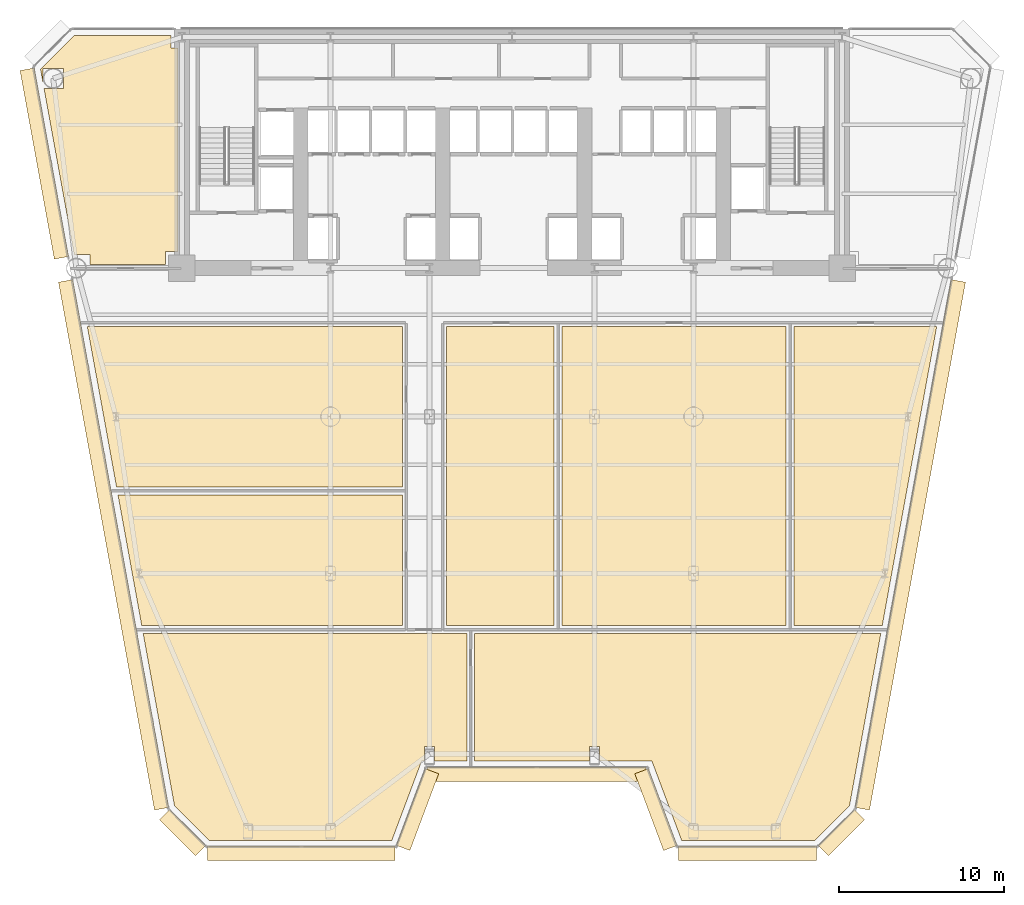
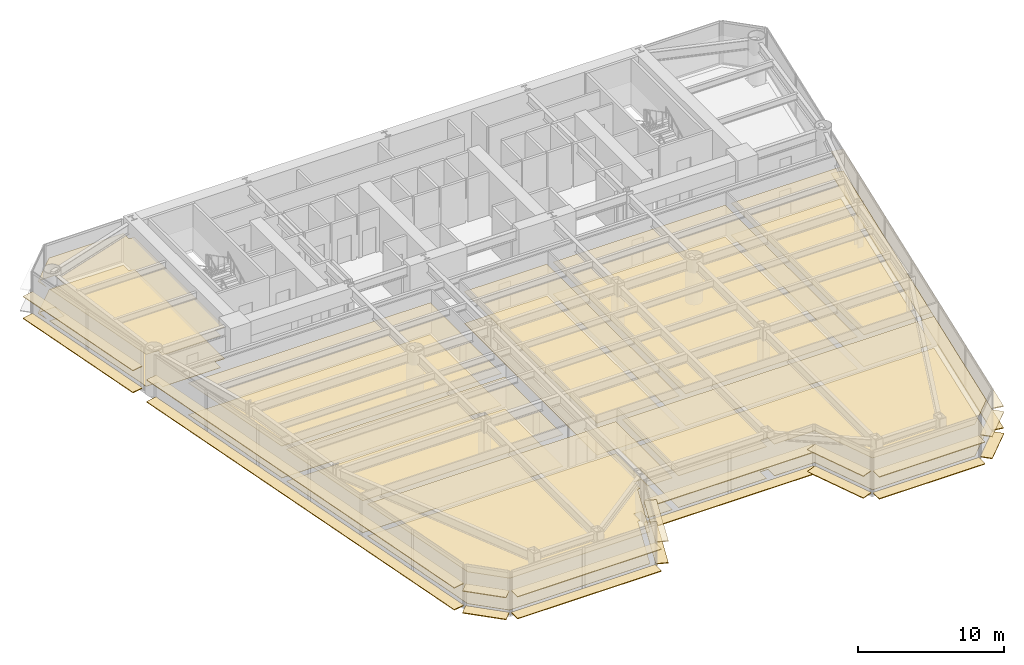
# One storey, part 11 of 14: 36 coverings.
"""IFC4 building model written with IfcOpenShell, lengths in metres."""

from ifc_helpers import new_model, si_unit, direction, frame, origin, origin_2d, place, context, subcontext, project, spatial, polyline, rectangle, outline, extrude, source, transform, mapped, material, layer, layer_set, type_object, element, save


model = new_model("IFC4")

# Units and contexts
model_context = context("Model", 3, precision=1e-05, world=origin(), true_north=direction((0.0, 1.0)))
body_context = subcontext(model_context, "Body", "Model", "MODEL_VIEW")
ifc_project = project(units=[si_unit("LENGTHUNIT", "METRE"), si_unit("AREAUNIT", "SQUARE_METRE"), si_unit("VOLUMEUNIT", "CUBIC_METRE"), si_unit("PLANEANGLEUNIT", "RADIAN"), si_unit("MASSUNIT", "GRAM", prefix="KILO")], contexts=[model_context])

# Site, building, storey
site_placement = place(None, origin())
site = spatial("IfcSite", under=ifc_project, at=site_placement, CompositionType="ELEMENT")
building_placement = place(site_placement, origin())
building = spatial("IfcBuilding", under=site, at=building_placement, Name="Vaeldorn Concourse Tower", CompositionType="ELEMENT")
storey_placement = place(building_placement, frame((0.0, 0.0, 41.60009765625)))
storey = spatial("IfcBuildingStorey", under=building, at=storey_placement, Name="L10", CompositionType="ELEMENT", Elevation=41.60009765625)

# Coverings
ifc_material_1 = material(Name="Acoustic Mineral Fibre Board", Category="gypsum")
ifc_layer_1 = layer(ifc_material_1, 0.0400390625)
ifc_layer_set_1 = layer_set([ifc_layer_1], Name="Acoustic Mineral Fibre Board")
covering_type_1 = type_object("IfcCoveringType", Name="COV-CEIL-ACOUSTIC", PredefinedType="CEILING", material=ifc_layer_set_1)
covering_1_placement = place(storey_placement, frame((0.0, 0.0, 2.64990234375)))
element("IfcCovering", 1, at=covering_1_placement, inside=storey, type_object=covering_type_1, Name="Suspended Acoustic Ceiling L10-3", PredefinedType="CEILING", context=body_context, shape_type="SweptSolid", body=[
    extrude(outline(polyline([(7.4658203125, 50.60009765625), (13.340087890625, 50.60009765625), (13.340087890625, 49.840087890625), (13.760009765625, 49.840087890625), (13.760009765625, 37.5), (13.0, 37.5), (13.0, 36.719970703125), (8.419921875, 36.719970703125), (8.419921875, 37.320068359375), (7.476318359375, 37.320068359375), (5.644775390625, 47.390380859375), (6.8095703125, 47.390380859375), (6.8095703125, 48.609619140625), (5.590576171875, 48.609619140625), (5.590576171875, 47.688720703125), (5.43115234375, 48.5654296875), (7.4658203125, 50.60009765625)])), origin(), (0.0, 0.0, 1.0), 0.0400390625),
])
covering_2_placement = place(storey_placement, frame((0.0, 0.0, 2.64990234375)))
element("IfcCovering", 2, at=covering_2_placement, inside=storey, type_object=covering_type_1, Name="Suspended Acoustic Ceiling L10-5", PredefinedType="CEILING", context=body_context, shape_type="SweptSolid", body=[
    extrude(outline(polyline([(31.260009765625, 14.360107421875), (31.260009765625, 6.634521484375), (29.300048828125, 6.634521484375), (29.300048828125, 7.5234375), (28.699951171875, 7.5234375), (28.699951171875, 6.634521484375), (28.522705078125, 6.634521484375), (26.722900390625, 1.83447265625), (15.64404296875, 1.83447265625), (13.549560546875, 3.928955078125), (11.65234375, 14.360107421875), (31.260009765625, 14.360107421875)])), origin(), (0.0, 0.0, 1.0), 0.0400390625),
])
covering_3_placement = place(storey_placement, frame((0.0, 0.0, 2.64990234375)))
element("IfcCovering", 3, at=covering_3_placement, inside=storey, type_object=covering_type_1, Name="Suspended Acoustic Ceiling L10-6", PredefinedType="CEILING", context=body_context, shape_type="SweptSolid", body=[
    extrude(outline(polyline([(31.739990234375, 14.360107421875), (56.34765625, 14.360107421875), (54.450439453125, 3.928955078125), (52.35595703125, 1.83447265625), (44.277099609375, 1.83447265625), (42.477294921875, 6.634521484375), (39.300048828125, 6.634521484375), (39.300048828125, 7.5234375), (38.699951171875, 7.5234375), (38.699951171875, 6.634521484375), (31.739990234375, 6.634521484375), (31.739990234375, 14.360107421875)])), origin(), (0.0, 0.0, 1.0), 0.0400390625),
])
covering_4_placement = place(storey_placement, frame((0.0, 0.0, 2.64990234375)))
element("IfcCovering", 4, at=covering_4_placement, inside=storey, type_object=covering_type_1, Name="Suspended Acoustic Ceiling L10-7", PredefinedType="CEILING", context=body_context, shape_type="SweptSolid", body=[
    extrude(outline(polyline([(27.360107421875, 22.760009765625), (27.360107421875, 14.840087890625), (11.56494140625, 14.840087890625), (10.12451171875, 22.760009765625), (27.360107421875, 22.760009765625)])), origin(), (0.0, 0.0, 1.0), 0.0400390625),
])
covering_5_placement = place(storey_placement, frame((0.0, 0.0, 2.64990234375)))
element("IfcCovering", 5, at=covering_5_placement, inside=storey, type_object=covering_type_1, Name="Suspended Acoustic Ceiling L10-8", PredefinedType="CEILING", context=body_context, shape_type="SweptSolid", body=[
    extrude(outline(polyline([(27.360107421875, 32.9599609375), (27.360107421875, 23.239990234375), (10.037109375, 23.239990234375), (8.269287109375, 32.9599609375), (27.360107421875, 32.9599609375)])), origin(), (0.0, 0.0, 1.0), 0.0400390625),
])
covering_6_placement = place(storey_placement, frame((0.0, 0.0, 2.64990234375)))
element("IfcCovering", 6, at=covering_6_placement, inside=storey, type_object=covering_type_1, Name="Suspended Acoustic Ceiling L10-9", PredefinedType="CEILING", context=body_context, shape_type="SweptSolid", body=[
    extrude(outline(polyline([(30.0400390625, 32.9599609375), (36.56005859375, 32.9599609375), (36.56005859375, 14.840087890625), (30.0400390625, 14.840087890625), (30.0400390625, 32.9599609375)])), origin(), (0.0, 0.0, 1.0), 0.0400390625),
])
covering_7_placement = place(storey_placement, frame((0.0, 0.0, 2.64990234375)))
element("IfcCovering", 7, at=covering_7_placement, inside=storey, type_object=covering_type_1, Name="Suspended Acoustic Ceiling L10-10", PredefinedType="CEILING", context=body_context, shape_type="SweptSolid", body=[
    extrude(outline(polyline([(37.0400390625, 32.9599609375), (50.610107421875, 32.9599609375), (50.610107421875, 14.840087890625), (37.0400390625, 14.840087890625), (37.0400390625, 32.9599609375)])), origin(), (0.0, 0.0, 1.0), 0.0400390625),
])
covering_8_placement = place(storey_placement, frame((0.0, 0.0, 2.64990234375)))
element("IfcCovering", 8, at=covering_8_placement, inside=storey, type_object=covering_type_1, Name="Suspended Acoustic Ceiling L10-11", PredefinedType="CEILING", context=body_context, shape_type="SweptSolid", body=[
    extrude(outline(polyline([(51.090087890625, 14.840087890625), (51.090087890625, 32.9599609375), (59.730712890625, 32.9599609375), (56.43505859375, 14.840087890625), (51.090087890625, 14.840087890625)])), origin(), (0.0, 0.0, 1.0), 0.0400390625),
])
ifc_material_2 = material(Name="Honed Limestone Terrazzo Flooring", Category="masonry")
ifc_layer_2 = layer(ifc_material_2, 0.0400390625)
ifc_layer_set_2 = layer_set([ifc_layer_2], Name="Honed Limestone Terrazzo Flooring")
covering_type_2 = type_object("IfcCoveringType", Name="COV-FLOOR-STONE", PredefinedType="FLOORING", material=ifc_layer_set_2)
covering_9_placement = place(storey_placement, origin())
element("IfcCovering", 9, at=covering_9_placement, inside=storey, type_object=covering_type_2, Name="Floor Finish Covering L10-3", PredefinedType="FLOORING", context=body_context, shape_type="SweptSolid", body=[
    extrude(outline(polyline([(7.4658203125, 50.60009765625), (13.340087890625, 50.60009765625), (13.340087890625, 49.840087890625), (13.760009765625, 49.840087890625), (13.760009765625, 37.5), (13.0, 37.5), (13.0, 36.719970703125), (8.419921875, 36.719970703125), (8.419921875, 37.320068359375), (7.476318359375, 37.320068359375), (5.644775390625, 47.390380859375), (6.8095703125, 47.390380859375), (6.8095703125, 48.609619140625), (5.590576171875, 48.609619140625), (5.590576171875, 47.688720703125), (5.43115234375, 48.5654296875), (7.4658203125, 50.60009765625)])), origin(), (0.0, 0.0, 1.0), 0.02978515625),
])
covering_10_placement = place(storey_placement, origin())
element("IfcCovering", 10, at=covering_10_placement, inside=storey, type_object=covering_type_2, Name="Floor Finish Covering L10-5", PredefinedType="FLOORING", context=body_context, shape_type="SweptSolid", body=[
    extrude(outline(polyline([(31.260009765625, 14.360107421875), (31.260009765625, 6.634521484375), (29.300048828125, 6.634521484375), (29.300048828125, 7.5234375), (28.699951171875, 7.5234375), (28.699951171875, 6.634521484375), (28.522705078125, 6.634521484375), (26.722900390625, 1.83447265625), (15.64404296875, 1.83447265625), (13.549560546875, 3.928955078125), (11.65234375, 14.360107421875), (31.260009765625, 14.360107421875)])), origin(), (0.0, 0.0, 1.0), 0.02978515625),
])
covering_11_placement = place(storey_placement, origin())
element("IfcCovering", 11, at=covering_11_placement, inside=storey, type_object=covering_type_2, Name="Floor Finish Covering L10-6", PredefinedType="FLOORING", context=body_context, shape_type="SweptSolid", body=[
    extrude(outline(polyline([(31.739990234375, 14.360107421875), (56.34765625, 14.360107421875), (54.450439453125, 3.928955078125), (52.35595703125, 1.83447265625), (44.277099609375, 1.83447265625), (42.477294921875, 6.634521484375), (39.300048828125, 6.634521484375), (39.300048828125, 7.5234375), (38.699951171875, 7.5234375), (38.699951171875, 6.634521484375), (31.739990234375, 6.634521484375), (31.739990234375, 14.360107421875)])), origin(), (0.0, 0.0, 1.0), 0.02978515625),
])
covering_12_placement = place(storey_placement, origin())
element("IfcCovering", 12, at=covering_12_placement, inside=storey, type_object=covering_type_2, Name="Floor Finish Covering L10-7", PredefinedType="FLOORING", context=body_context, shape_type="SweptSolid", body=[
    extrude(outline(polyline([(27.360107421875, 22.760009765625), (27.360107421875, 14.840087890625), (11.56494140625, 14.840087890625), (10.12451171875, 22.760009765625), (27.360107421875, 22.760009765625)])), origin(), (0.0, 0.0, 1.0), 0.02978515625),
])
covering_13_placement = place(storey_placement, origin())
element("IfcCovering", 13, at=covering_13_placement, inside=storey, type_object=covering_type_2, Name="Floor Finish Covering L10-8", PredefinedType="FLOORING", context=body_context, shape_type="SweptSolid", body=[
    extrude(outline(polyline([(27.360107421875, 32.9599609375), (27.360107421875, 23.239990234375), (10.037109375, 23.239990234375), (8.269287109375, 32.9599609375), (27.360107421875, 32.9599609375)])), origin(), (0.0, 0.0, 1.0), 0.02978515625),
])
covering_14_placement = place(storey_placement, origin())
element("IfcCovering", 14, at=covering_14_placement, inside=storey, type_object=covering_type_2, Name="Floor Finish Covering L10-9", PredefinedType="FLOORING", context=body_context, shape_type="SweptSolid", body=[
    extrude(outline(polyline([(30.0400390625, 32.9599609375), (36.56005859375, 32.9599609375), (36.56005859375, 14.840087890625), (30.0400390625, 14.840087890625), (30.0400390625, 32.9599609375)])), origin(), (0.0, 0.0, 1.0), 0.02978515625),
])
covering_15_placement = place(storey_placement, origin())
element("IfcCovering", 15, at=covering_15_placement, inside=storey, type_object=covering_type_2, Name="Floor Finish Covering L10-10", PredefinedType="FLOORING", context=body_context, shape_type="SweptSolid", body=[
    extrude(outline(polyline([(37.0400390625, 32.9599609375), (50.610107421875, 32.9599609375), (50.610107421875, 14.840087890625), (37.0400390625, 14.840087890625), (37.0400390625, 32.9599609375)])), origin(), (0.0, 0.0, 1.0), 0.02978515625),
])
covering_16_placement = place(storey_placement, origin())
element("IfcCovering", 16, at=covering_16_placement, inside=storey, type_object=covering_type_2, Name="Floor Finish Covering L10-11", PredefinedType="FLOORING", context=body_context, shape_type="SweptSolid", body=[
    extrude(outline(polyline([(51.090087890625, 14.840087890625), (51.090087890625, 32.9599609375), (59.730712890625, 32.9599609375), (56.43505859375, 14.840087890625), (51.090087890625, 14.840087890625)])), origin(), (0.0, 0.0, 1.0), 0.02978515625),
])
ifc_material_3 = material(Name="Anodised Bronze Aluminium", Category="aluminium")
ifc_layer_3 = layer(ifc_material_3, 0.06494140625)
ifc_layer_set_3 = layer_set([ifc_layer_3], Name="Anodised Bronze Aluminium")
covering_type_3 = type_object("IfcCoveringType", Name="SD-BRONZE-SUNSHADE", PredefinedType="USERDEFINED", material=ifc_layer_set_3)
shared_shape_1 = source(origin(), body_context, "Body", "SweptSolid", [
    extrude(rectangle(XDim=4.96630859375, YDim=0.8798828125, at=origin_2d()), origin(), (0.0, 0.0, 1.0), 0.06494140625),
])
for number, where, z_axis, x_axis, name in (
    (17, (28.2744140625, 3.694091796875, 0.04736328125), (0.0, 0.0, 1.0), (0.351122702609, 0.936329454686, 0.0), "Horizontal Bronze Sunshade L10-E02.1.1"),
    (18, (28.2744140625, 3.694091796875, 1.867431640625), (0.0, 0.0, 1.0), (0.351122702609, 0.936329454686, 0.0), "Horizontal Bronze Sunshade L10-E02.1.2"),
    (19, (42.7255859375, 3.694091796875, 0.04736328125), (0.0, 0.0, 1.0), (0.351122702609, -0.936329454686, 0.0), "Horizontal Bronze Sunshade L10-E04.1.1"),
    (20, (42.7255859375, 3.694091796875, 1.867431640625), (0.0, 0.0, 1.0), (0.351122702609, -0.936329454686, 0.0), "Horizontal Bronze Sunshade L10-E04.1.2"),
):
    element("IfcCovering", number, at=place(storey_placement, frame(where, z_axis=z_axis, x_axis=x_axis)), inside=storey, type_object=covering_type_3, Name=name, ObjectType="SUNSHADE", PredefinedType="USERDEFINED", context=body_context, shape_type="MappedRepresentation", body=[
        mapped(shared_shape_1, transform((0.0, 0.0, 0.0), scale=1.0)),
    ])
shared_shape_2 = source(origin(), body_context, "Body", "SweptSolid", [
    extrude(rectangle(XDim=13.239990234375, YDim=0.8798828125, at=origin_2d()), origin(), (0.0, 0.0, 1.0), 0.06494140625),
])
for number, where, z_axis, x_axis, name in (
    (21, (35.5, 5.83447265625, 0.04736328125), (0.0, 0.0, 1.0), (1.0, 0.0, 0.0), "Horizontal Bronze Sunshade L10-E03.1.1"),
    (22, (35.5, 5.83447265625, 1.867431640625), (0.0, 0.0, 1.0), (1.0, 0.0, 0.0), "Horizontal Bronze Sunshade L10-E03.1.2"),
):
    element("IfcCovering", number, at=place(storey_placement, frame(where, z_axis=z_axis, x_axis=x_axis)), inside=storey, type_object=covering_type_3, Name=name, ObjectType="SUNSHADE", PredefinedType="USERDEFINED", context=body_context, shape_type="MappedRepresentation", body=[
        mapped(shared_shape_2, transform((0.0, 0.0, 0.0), scale=1.0)),
    ])
shared_shape_3 = source(origin(), body_context, "Body", "SweptSolid", [
    extrude(rectangle(XDim=3.0927734375, YDim=0.8798828125, at=origin_2d()), origin(), (0.0, 0.0, 1.0), 0.06494140625),
])
for number, where, z_axis, x_axis, name in (
    (23, (53.95458984375, 2.3017578125, 0.04736328125), (0.0, 0.0, 1.0), (0.707106781187, 0.707106781187, 0.0), "Horizontal Bronze Sunshade L10-E06.1.1"),
    (24, (53.95458984375, 2.3017578125, 1.867431640625), (0.0, 0.0, 1.0), (0.707106781187, 0.707106781187, 0.0), "Horizontal Bronze Sunshade L10-E06.1.2"),
    (25, (14.04541015625, 2.3017578125, 0.04736328125), (0.0, 0.0, 1.0), (0.707106781187, -0.707106781187, 0.0), "Horizontal Bronze Sunshade L10-E12.1.1"),
    (26, (14.04541015625, 2.3017578125, 1.867431640625), (0.0, 0.0, 1.0), (0.707106781187, -0.707106781187, 0.0), "Horizontal Bronze Sunshade L10-E12.1.2"),
):
    element("IfcCovering", number, at=place(storey_placement, frame(where, z_axis=z_axis, x_axis=x_axis)), inside=storey, type_object=covering_type_3, Name=name, ObjectType="SUNSHADE", PredefinedType="USERDEFINED", context=body_context, shape_type="MappedRepresentation", body=[
        mapped(shared_shape_3, transform((0.0, 0.0, 0.0), scale=1.0)),
    ])
shared_shape_4 = source(origin(), body_context, "Body", "SweptSolid", [
    extrude(rectangle(XDim=11.36181640625, YDim=0.8798828125, at=origin_2d()), origin(), (0.0, 0.0, 1.0), 0.06494140625),
])
for number, where, z_axis, x_axis, name in (
    (27, (21.2392578125, 1.034423828125, 0.04736328125), (0.0, 0.0, 1.0), (1.0, 0.0, 0.0), "Horizontal Bronze Sunshade L10-E01.1.1"),
    (28, (21.2392578125, 1.034423828125, 1.867431640625), (0.0, 0.0, 1.0), (1.0, 0.0, 0.0), "Horizontal Bronze Sunshade L10-E01.1.2"),
):
    element("IfcCovering", number, at=place(storey_placement, frame(where, z_axis=z_axis, x_axis=x_axis)), inside=storey, type_object=covering_type_3, Name=name, ObjectType="SUNSHADE", PredefinedType="USERDEFINED", context=body_context, shape_type="MappedRepresentation", body=[
        mapped(shared_shape_4, transform((0.0, 0.0, 0.0), scale=1.0)),
    ])
shared_shape_5 = source(origin(), body_context, "Body", "SweptSolid", [
    extrude(rectangle(XDim=8.36181640625, YDim=0.8798828125, at=origin_2d()), origin(), (0.0, 0.0, 1.0), 0.06494140625),
])
for number, where, z_axis, x_axis, name in (
    (29, (48.260986328125, 1.034423828125, 0.04736328125), (0.0, 0.0, 1.0), (1.0, 0.0, 0.0), "Horizontal Bronze Sunshade L10-E05.1.1"),
    (30, (48.260986328125, 1.034423828125, 1.867431640625), (0.0, 0.0, 1.0), (1.0, 0.0, 0.0), "Horizontal Bronze Sunshade L10-E05.1.2"),
):
    element("IfcCovering", number, at=place(storey_placement, frame(where, z_axis=z_axis, x_axis=x_axis)), inside=storey, type_object=covering_type_3, Name=name, ObjectType="SUNSHADE", PredefinedType="USERDEFINED", context=body_context, shape_type="MappedRepresentation", body=[
        mapped(shared_shape_5, transform((0.0, 0.0, 0.0), scale=1.0)),
    ])
shared_shape_6 = source(origin(), body_context, "Body", "SweptSolid", [
    extrude(rectangle(XDim=32.513427734375, YDim=0.8798828125, at=origin_2d()), origin(), (0.0, 0.0, 1.0), 0.06494140625),
])
for number, where, z_axis, x_axis, name in (
    (31, (58.138671875, 19.73583984375, 0.04736328125), (0.0, 0.0, 1.0), (0.17893958964, 0.983860062844, 0.0), "Horizontal Bronze Sunshade L10-E07.1.1"),
    (32, (58.138671875, 19.73583984375, 1.867431640625), (0.0, 0.0, 1.0), (0.17893958964, 0.983860062844, 0.0), "Horizontal Bronze Sunshade L10-E07.1.2"),
    (33, (9.861328125, 19.73583984375, 0.04736328125), (0.0, 0.0, 1.0), (0.17893958964, -0.983860062844, 0.0), "Horizontal Bronze Sunshade L10-E11.2.1"),
    (34, (9.861328125, 19.73583984375, 1.867431640625), (0.0, 0.0, 1.0), (0.17893958964, -0.983860062844, 0.0), "Horizontal Bronze Sunshade L10-E11.2.2"),
):
    element("IfcCovering", number, at=place(storey_placement, frame(where, z_axis=z_axis, x_axis=x_axis)), inside=storey, type_object=covering_type_3, Name=name, ObjectType="SUNSHADE", PredefinedType="USERDEFINED", context=body_context, shape_type="MappedRepresentation", body=[
        mapped(shared_shape_6, transform((0.0, 0.0, 0.0), scale=1.0)),
    ])
shared_shape_7 = source(origin(), body_context, "Body", "SweptSolid", [
    extrude(rectangle(XDim=11.610595703125, YDim=0.8798828125, at=origin_2d()), origin(), (0.0, 0.0, 1.0), 0.06494140625),
])
for number, where, z_axis, x_axis, name in (
    (35, (5.65966796875, 42.838134765625, 0.04736328125), (0.0, 0.0, 1.0), (0.17893958964, -0.983860062844, 0.0), "Horizontal Bronze Sunshade L10-E11.1.1"),
    (36, (5.65966796875, 42.838134765625, 1.867431640625), (0.0, 0.0, 1.0), (0.17893958964, -0.983860062844, 0.0), "Horizontal Bronze Sunshade L10-E11.1.2"),
):
    element("IfcCovering", number, at=place(storey_placement, frame(where, z_axis=z_axis, x_axis=x_axis)), inside=storey, type_object=covering_type_3, Name=name, ObjectType="SUNSHADE", PredefinedType="USERDEFINED", context=body_context, shape_type="MappedRepresentation", body=[
        mapped(shared_shape_7, transform((0.0, 0.0, 0.0), scale=1.0)),
    ])

save(model, "model.ifc")
